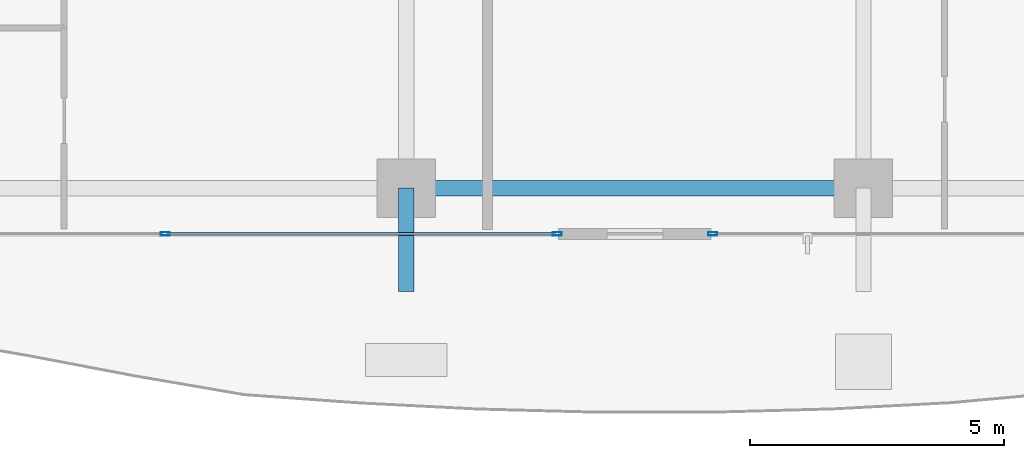
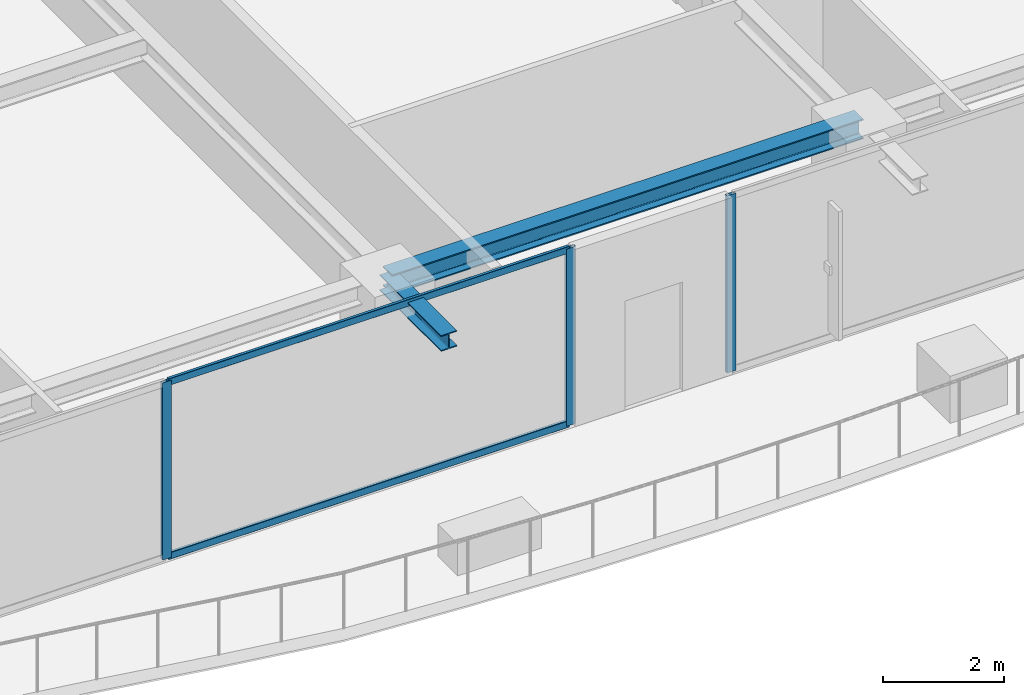
# One storey, part 5 of 37: 5 members, 2 beams, 2 elements without a shape of their own.
"""IFC4 building model written with IfcOpenShell, lengths in metres."""

from ifc_helpers import new_model, si_unit, direction, frame, origin, origin_2d, place, context, subcontext, project, spatial, hollow_rectangle, i_section, extrude, source, transform, mapped, material, layer, layer_set, material_profile, profile_set, type_object, element, aggregate, save


model = new_model("IFC4")

# Units and contexts
model_context = context("Model", 3, precision=1e-05, world=origin(), true_north=direction((0.0, 1.0)))
body_context = subcontext(model_context, "Body", "Model", "MODEL_VIEW")
ifc_project = project(units=[si_unit("LENGTHUNIT", "METRE"), si_unit("AREAUNIT", "SQUARE_METRE"), si_unit("VOLUMEUNIT", "CUBIC_METRE"), si_unit("PLANEANGLEUNIT", "RADIAN"), si_unit("MASSUNIT", "GRAM", prefix="KILO")], contexts=[model_context])

# Site, building, storey
site_placement = place(None, origin())
site = spatial("IfcSite", under=ifc_project, at=site_placement, CompositionType="ELEMENT")
building_placement = place(site_placement, origin())
building = spatial("IfcBuilding", under=site, at=building_placement, Name="Serunith Strait Residences", CompositionType="ELEMENT")
storey_placement = place(building_placement, frame((0.0, 0.0, 218.14990234375)))
storey = spatial("IfcBuildingStorey", under=building, at=storey_placement, Name="L54", CompositionType="ELEMENT", Elevation=218.14990234375)

# Beams
ifc_material_1 = material(Name="Steel S355J2", Category="steel")
ifc_material_profile_1 = material_profile(ifc_material_1, i_section(OverallWidth=0.300048828125, OverallDepth=0.39990234375, WebThickness=0.013427734375, FlangeThickness=0.02392578125, FilletRadius=0.027099609375, at=origin_2d()), Name="HEB 400")
ifc_profile_set_1 = profile_set([ifc_material_profile_1], Name="Steel S355J2")
beam_type_1 = type_object("IfcBeamType", Name="BM-HEB400", PredefinedType="BEAM", material=ifc_profile_set_1)
shared_shape_1 = source(origin(), body_context, "Body", "SweptSolid", [
    extrude(i_section(OverallWidth=0.300048828125, OverallDepth=0.39990234375, WebThickness=0.013427734375, FlangeThickness=0.02392578125, FilletRadius=0.027099609375, at=origin_2d()), origin(), (0.0, 0.0, 1.0), 9.0),
])
beam_1_placement = place(storey_placement, frame((27.89990234375, 2.10009765625, 3.38720703125), z_axis=(1.0, 0.0, 0.0), x_axis=(0.0, 1.0, 0.0)))
element("IfcBeam", 1, at=beam_1_placement, inside=storey, type_object=beam_type_1, Name="L54 Perimeter Ring Beam 02", PredefinedType="BEAM", context=body_context, shape_type="MappedRepresentation", body=[
    mapped(shared_shape_1, transform((0.0, 0.0, 0.0), scale=1.0)),
])
ifc_material_profile_2 = material_profile(ifc_material_1, i_section(OverallWidth=0.300048828125, OverallDepth=0.320068359375, WebThickness=0.011474609375, FlangeThickness=0.0205078125, FilletRadius=0.027099609375, at=origin_2d()), Name="HEB 320")
ifc_profile_set_2 = profile_set([ifc_material_profile_2], Name="Steel S355J2")
beam_type_2 = type_object("IfcBeamType", Name="BM-HEB320", PredefinedType="BEAM", material=ifc_profile_set_2)
shared_shape_2 = source(origin(), body_context, "Body", "SweptSolid", [
    extrude(i_section(OverallWidth=0.300048828125, OverallDepth=0.320068359375, WebThickness=0.011474609375, FlangeThickness=0.0205078125, FilletRadius=0.027099609375, at=origin_2d()), origin(), (0.0, 0.0, 1.0), 2.030029296875),
])
beam_2_placement = place(storey_placement, frame((27.89990234375, 2.10009765625, 3.397216796875), z_axis=(0.0, -1.0, 0.0), x_axis=(1.0, 0.0, 0.0)))
element("IfcBeam", 2, at=beam_2_placement, inside=storey, type_object=beam_type_2, Name="L55 Cantilevered Balcony Rib TC-S2", PredefinedType="BEAM", context=body_context, shape_type="MappedRepresentation", body=[
    mapped(shared_shape_2, transform((0.0, 0.0, 0.0), scale=1.0)),
])

# Curtain wall, members
ifc_material_2 = material(Name="Pale-Champagne Anodised Aluminium", Category="aluminium")
ifc_layer = layer(ifc_material_2, 0.199951171875, Name="Pale-Champagne Anodised Aluminium")
ifc_layer_set = layer_set([ifc_layer], Name="Pale-Champagne Anodised Aluminium")
curtain_wall_type = type_object("IfcCurtainWallType", Name="CW-SYS4", PredefinedType="NOTDEFINED", material=ifc_layer_set)
curtain_wall_1_placement = place(storey_placement, origin())
curtain_wall_1 = element("IfcCurtainWall", 3, at=curtain_wall_1_placement, inside=storey, type_object=curtain_wall_type, Name="L54 S Unitised Fritted Curtain Wall", PredefinedType="NOTDEFINED")
ifc_material_profile_3 = material_profile(ifc_material_2, hollow_rectangle(XDim=0.06005859375, YDim=0.139892578125, WallThickness=0.00341796875, InnerFilletRadius=0.00537109375, OuterFilletRadius=0.0087890625, at=origin_2d()), Name="ALU 140x60x3.5")
ifc_profile_set_3 = profile_set([ifc_material_profile_3], Name="Pale-Champagne Anodised Aluminium")
member_type_1 = type_object("IfcMemberType", Name="CW-SYS4-TRAN", PredefinedType="USERDEFINED", material=ifc_profile_set_3)
shared_shape_3 = source(origin(), body_context, "Body", "SweptSolid", [
    extrude(hollow_rectangle(XDim=0.06005859375, YDim=0.139892578125, WallThickness=0.00341796875, InnerFilletRadius=0.00537109375, OuterFilletRadius=0.0087890625, at=origin_2d()), origin(), (0.0, 0.0, 1.0), 7.65234375),
])
member_1_placement = place(storey_placement, frame((23.1826171875, 1.199951171875, 0.030029296875), z_axis=(1.0, 0.0, 0.0), x_axis=(0.0, 1.0, 0.0)))
member_1 = element("IfcMember", 4, at=member_1_placement, type_object=member_type_1, Name="CW-4 transom 2.1", ObjectType="TRANSOM", PredefinedType="USERDEFINED", context=body_context, shape_type="MappedRepresentation", body=[
    mapped(shared_shape_3, transform((0.0, 0.0, 0.0), scale=1.0)),
])
member_2_placement = place(storey_placement, frame((23.1826171875, 1.199951171875, 3.545166015625), z_axis=(1.0, 0.0, 0.0), x_axis=(0.0, 1.0, 0.0)))
member_2 = element("IfcMember", 5, at=member_2_placement, type_object=member_type_1, Name="CW-4 transom 2.2", ObjectType="TRANSOM", PredefinedType="USERDEFINED", context=body_context, shape_type="MappedRepresentation", body=[
    mapped(shared_shape_3, transform((0.0, 0.0, 0.0), scale=1.0)),
])
ifc_material_profile_4 = material_profile(ifc_material_2, hollow_rectangle(XDim=0.06494140625, YDim=0.179931640625, WallThickness=0.00341796875, InnerFilletRadius=0.00537109375, OuterFilletRadius=0.0087890625, at=origin_2d()), Name="ALU 180x65x3.5")
ifc_profile_set_4 = profile_set([ifc_material_profile_4], Name="Pale-Champagne Anodised Aluminium")
member_type_2 = type_object("IfcMemberType", Name="CW-SYS4-MULL", PredefinedType="MULLION", material=ifc_profile_set_4)
shared_shape_4 = source(origin(), body_context, "Body", "SweptSolid", [
    extrude(hollow_rectangle(XDim=0.06494140625, YDim=0.179931640625, WallThickness=0.00341796875, InnerFilletRadius=0.00537109375, OuterFilletRadius=0.0087890625, at=origin_2d()), origin(), (0.0, 0.0, 1.0), 3.5751953125),
])
member_3_placement = place(storey_placement, frame((23.14990234375, 1.199951171875, 0.0), z_axis=(0.0, 0.0, 1.0), x_axis=(0.0, 1.0, 0.0)))
member_3 = element("IfcMember", 6, at=member_3_placement, type_object=member_type_2, Name="CW-4 mullion 2", PredefinedType="MULLION", context=body_context, shape_type="MappedRepresentation", body=[
    mapped(shared_shape_4, transform((0.0, 0.0, 0.0), scale=1.0)),
])
member_4_placement = place(storey_placement, frame((30.867431640625, 1.199951171875, 0.0), z_axis=(0.0, 0.0, 1.0), x_axis=(0.0, 1.0, 0.0)))
member_4 = element("IfcMember", 7, at=member_4_placement, type_object=member_type_2, Name="CW-4 mullion 3", PredefinedType="MULLION", context=body_context, shape_type="MappedRepresentation", body=[
    mapped(shared_shape_4, transform((0.0, 0.0, 0.0), scale=1.0)),
])
aggregate(curtain_wall_1, [member_3, member_4, member_1, member_2])

# Curtain wall, member
curtain_wall_2_placement = place(storey_placement, origin())
curtain_wall_2 = element("IfcCurtainWall", 8, at=curtain_wall_2_placement, inside=storey, type_object=curtain_wall_type, Name="L54 S Unitised Fritted Curtain Wall", PredefinedType="NOTDEFINED")
member_5_placement = place(storey_placement, frame((33.9326171875, 1.199951171875, 0.0), z_axis=(0.0, 0.0, 1.0), x_axis=(0.0, 1.0, 0.0)))
member_5 = element("IfcMember", 9, at=member_5_placement, type_object=member_type_2, Name="CW-4 mullion 1", PredefinedType="MULLION", context=body_context, shape_type="MappedRepresentation", body=[
    mapped(shared_shape_4, transform((0.0, 0.0, 0.0), scale=1.0)),
])
aggregate(curtain_wall_2, [member_5])

save(model, "model.ifc")
